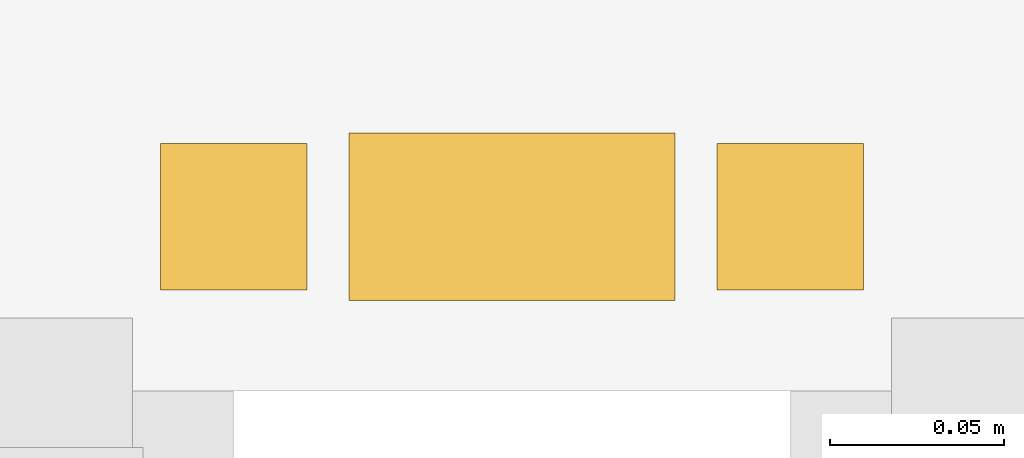
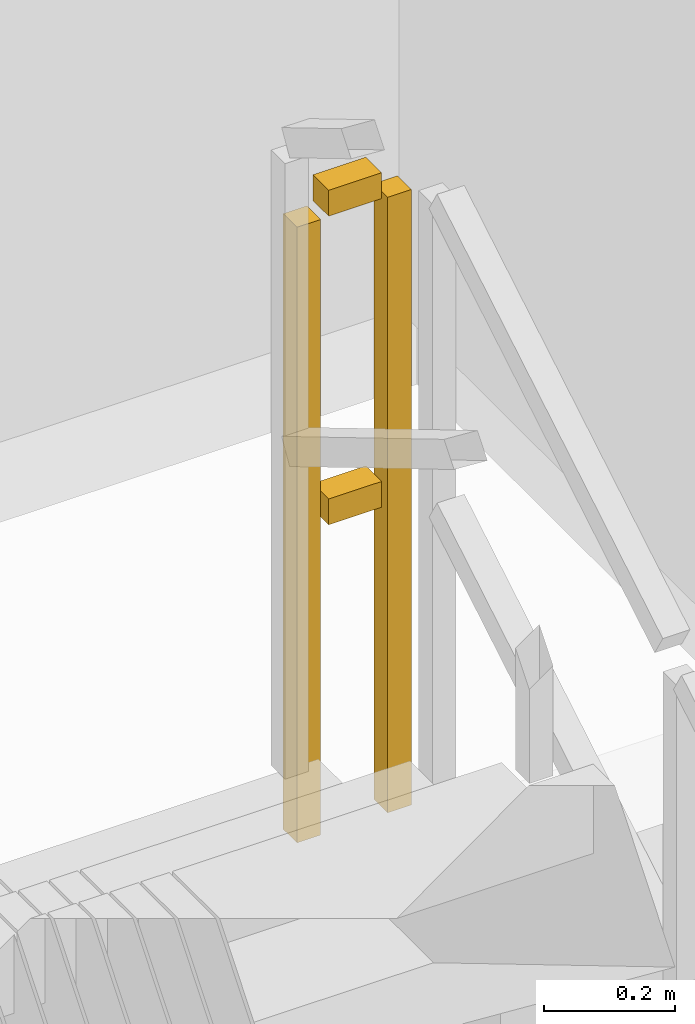
# One storey, part 14 of 14: 1 railing.
"""IFC4 building model written with IfcOpenShell, lengths in metres."""

from ifc_helpers import new_model, si_unit, direction, frame, origin, origin_2d, place, context, subcontext, project, spatial, rectangle, extrude, material, type_object, element, save


model = new_model("IFC4")

# Units and contexts
model_context = context("Model", 3, precision=1e-05, world=origin(), true_north=direction((0.0, 1.0)))
body_context = subcontext(model_context, "Body", "Model", "MODEL_VIEW")
ifc_project = project(units=[si_unit("LENGTHUNIT", "METRE"), si_unit("AREAUNIT", "SQUARE_METRE"), si_unit("VOLUMEUNIT", "CUBIC_METRE"), si_unit("PLANEANGLEUNIT", "RADIAN"), si_unit("MASSUNIT", "GRAM", prefix="KILO")], contexts=[model_context])

# Site, building, storey
site_placement = place(None, origin())
site = spatial("IfcSite", under=ifc_project, at=site_placement, CompositionType="ELEMENT")
building_placement = place(site_placement, origin())
building = spatial("IfcBuilding", under=site, at=building_placement, Name="Saelheon Loggia Tower", CompositionType="ELEMENT")
storey_placement = place(building_placement, frame((0.0, 0.0, 119.85009765625)))
storey = spatial("IfcBuildingStorey", under=building, at=storey_placement, Name="L38", CompositionType="ELEMENT", Elevation=119.85009765625)

# Railing
ifc_material = material(Name="Galvanised Steel S275 Stairwell Guardrail", Category="steel")
railing_type = type_object("IfcRailingType", Name="Guard_StairWell_RL_STG", PredefinedType="GUARDRAIL", material=ifc_material)
railing_placement = place(storey_placement, frame((42.489990234375, 32.739990234375, 1.5)))
element("IfcRailing", 1, at=railing_placement, inside=storey, type_object=railing_type, Name="L38 ST2 stair guard 2", PredefinedType="GUARDRAIL", context=body_context, shape_type="SweptSolid", body=[
    extrude(rectangle(XDim=0.048095703125, YDim=0.048095703125, at=origin_2d()), frame((-0.033203125, 0.0, 1.17578125), z_axis=(-1.0, 0.0, 0.0), x_axis=(0.0, -1.0, 0.0)), (0.0, 0.0, 1.0), 0.093505859375),
    extrude(rectangle(XDim=0.048095703125, YDim=0.048095703125, at=origin_2d()), frame((-0.033203125, 0.0, 0.60009765625), z_axis=(-1.0, 0.0, 0.0), x_axis=(0.0, -1.0, 0.0)), (0.0, 0.0, 1.0), 0.093505859375),
    extrude(rectangle(XDim=0.0419921875, YDim=0.0419921875, at=origin_2d()), origin(), (0.0, 0.0, 1.0), 1.14794921875),
    extrude(rectangle(XDim=0.0419921875, YDim=0.0419921875, at=origin_2d()), frame((-0.159912109375, 0.0, 0.0)), (0.0, 0.0, 1.0), 1.14794921875),
])

save(model, "model.ifc")
